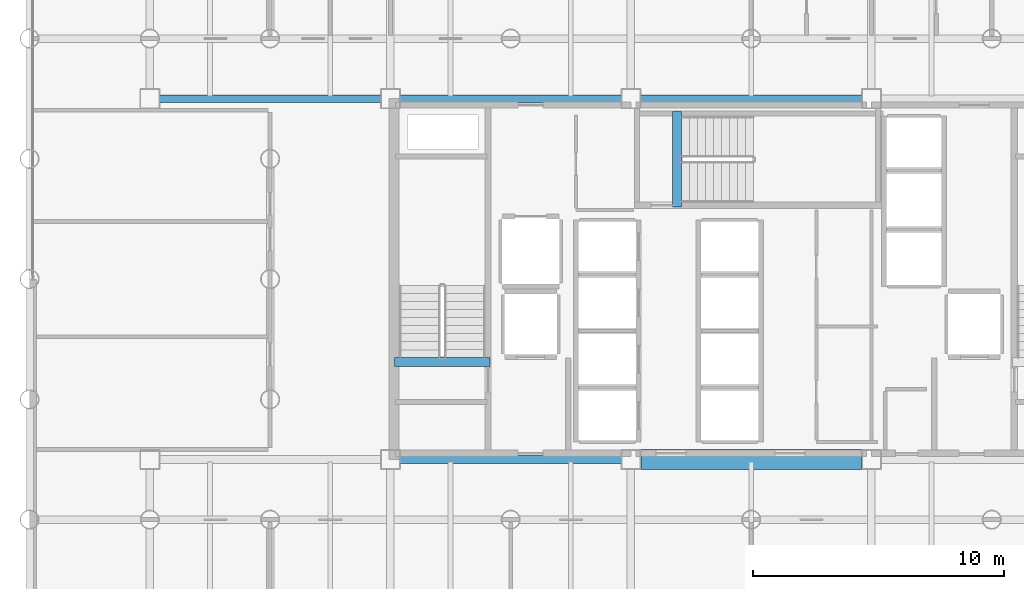
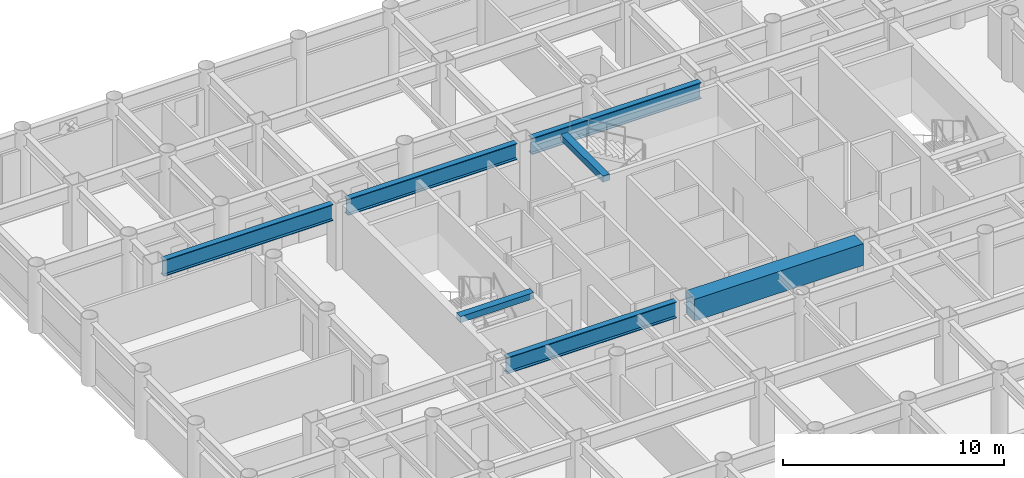
# One storey, part 5 of 19: 7 beams.
"""IFC4 building model written with IfcOpenShell, lengths in metres."""

from ifc_helpers import new_model, si_unit, direction, frame, origin, origin_2d, place, context, subcontext, project, spatial, rectangle, i_section, extrude, material, material_profile, profile_set, type_object, element, save


model = new_model("IFC4")

# Units and contexts
model_context = context("Model", 3, precision=1e-05, world=origin(), true_north=direction((0.0, 1.0)))
body_context = subcontext(model_context, "Body", "Model", "MODEL_VIEW")
ifc_project = project(units=[si_unit("LENGTHUNIT", "METRE"), si_unit("AREAUNIT", "SQUARE_METRE"), si_unit("VOLUMEUNIT", "CUBIC_METRE"), si_unit("PLANEANGLEUNIT", "RADIAN"), si_unit("MASSUNIT", "GRAM", prefix="KILO")], contexts=[model_context])

# Site, building, storey
site_placement = place(None, origin())
site = spatial("IfcSite", under=ifc_project, at=site_placement, CompositionType="ELEMENT")
building_placement = place(site_placement, origin())
building = spatial("IfcBuilding", under=site, at=building_placement, Name="Kallvorn Hotel Tower", CompositionType="ELEMENT")
storey_placement = place(building_placement, frame((0.0, 0.0, 67.0)))
storey = spatial("IfcBuildingStorey", under=building, at=storey_placement, Name="L15", CompositionType="ELEMENT", Elevation=67.0)

# Beams
ifc_material_1 = material(Name="Structural steel S355JR", Category="steel")
ifc_material_profile_1 = material_profile(ifc_material_1, i_section(OverallWidth=0.300048828125, OverallDepth=0.89990234375, WebThickness=0.0185546875, FlangeThickness=0.034912109375, at=origin_2d()), Name="HE 900 B")
ifc_profile_set_1 = profile_set([ifc_material_profile_1], Name="Structural steel S355JR")
beam_type_1 = type_object("IfcBeamType", Name="BM_HE900B", PredefinedType="BEAM", material=ifc_profile_set_1)
beam_1_placement = place(storey_placement, frame((-14.02490234375, -7.199951171875, 3.070068359375), z_axis=(1.0, 0.0, 0.0), x_axis=(0.0, 1.0, 0.0)))
element("IfcBeam", 1, at=beam_1_placement, inside=storey, type_object=beam_type_1, Name="L16 Primary X-Girder 34", PredefinedType="BEAM", context=body_context, shape_type="SweptSolid", body=[
    extrude(i_section(OverallWidth=0.300048828125, OverallDepth=0.89990234375, WebThickness=0.0185546875, FlangeThickness=0.034912109375, at=origin_2d()), origin(), (0.0, 0.0, 1.0), 8.849853515625),
])
beam_2_placement = place(storey_placement, frame((-23.625, 7.199951171875, 3.070068359375), z_axis=(1.0, 0.0, 0.0), x_axis=(0.0, 1.0, 0.0)))
element("IfcBeam", 2, at=beam_2_placement, inside=storey, type_object=beam_type_1, Name="L16 Primary X-Girder 37", PredefinedType="BEAM", context=body_context, shape_type="SweptSolid", body=[
    extrude(i_section(OverallWidth=0.300048828125, OverallDepth=0.89990234375, WebThickness=0.0185546875, FlangeThickness=0.034912109375, at=origin_2d()), origin(), (0.0, 0.0, 1.0), 8.85009765625),
])
beam_3_placement = place(storey_placement, frame((-14.02490234375, 7.199951171875, 3.070068359375), z_axis=(1.0, 0.0, 0.0), x_axis=(0.0, 1.0, 0.0)))
element("IfcBeam", 3, at=beam_3_placement, inside=storey, type_object=beam_type_1, Name="L16 Primary X-Girder 38", PredefinedType="BEAM", context=body_context, shape_type="SweptSolid", body=[
    extrude(i_section(OverallWidth=0.300048828125, OverallDepth=0.89990234375, WebThickness=0.0185546875, FlangeThickness=0.034912109375, at=origin_2d()), origin(), (0.0, 0.0, 1.0), 8.849853515625),
])
beam_4_placement = place(storey_placement, frame((-4.425048828125, 7.199951171875, 3.070068359375), z_axis=(1.0, 0.0, 0.0), x_axis=(0.0, 1.0, 0.0)))
element("IfcBeam", 4, at=beam_4_placement, inside=storey, type_object=beam_type_1, Name="L16 Primary X-Girder 39", PredefinedType="BEAM", context=body_context, shape_type="SweptSolid", body=[
    extrude(i_section(OverallWidth=0.300048828125, OverallDepth=0.89990234375, WebThickness=0.0185546875, FlangeThickness=0.034912109375, at=origin_2d()), origin(), (0.0, 0.0, 1.0), 8.85009765625),
])
ifc_material_2 = material(Name="Concrete C50/60", Category="concrete")
ifc_material_profile_2 = material_profile(ifc_material_2, rectangle(XDim=0.360107421875, YDim=0.340087890625, at=origin_2d()), Name="RC 360x340")
ifc_profile_set_2 = profile_set([ifc_material_profile_2], Name="Concrete C50/60")
beam_type_2 = type_object("IfcBeamType", Name="BM_RC_400x360", PredefinedType="BEAM", material=ifc_profile_set_2)
beam_5_placement = place(storey_placement, frame((-10.419921875, -3.31005859375, 3.35009765625), z_axis=(-1.0, 0.0, 0.0), x_axis=(0.0, -1.0, 0.0)))
element("IfcBeam", 5, at=beam_5_placement, inside=storey, type_object=beam_type_2, Name="L16 Stair ST1 Arrival Trimmer Beam", PredefinedType="BEAM", context=body_context, shape_type="SweptSolid", body=[
    extrude(rectangle(XDim=0.360107421875, YDim=0.340087890625, at=origin_2d()), origin(), (0.0, 0.0, 1.0), 3.820068359375),
])
beam_6_placement = place(storey_placement, frame((-2.9599609375, 2.8701171875, 3.35009765625), z_axis=(0.0, 1.0, 0.0), x_axis=(-1.0, 0.0, 0.0)))
element("IfcBeam", 6, at=beam_6_placement, inside=storey, type_object=beam_type_2, Name="L16 Stair ST3 Arrival Trimmer Beam", PredefinedType="BEAM", context=body_context, shape_type="SweptSolid", body=[
    extrude(rectangle(XDim=0.360107421875, YDim=0.340087890625, at=origin_2d()), origin(), (0.0, 0.0, 1.0), 3.81982421875),
])
ifc_material_3 = material(Name="Concrete C50/60", Category="concrete")
ifc_material_profile_3 = material_profile(ifc_material_3, rectangle(XDim=0.800048828125, YDim=1.199951171875, at=origin_2d()), Name="RC 800x1200")
ifc_profile_set_3 = profile_set([ifc_material_profile_3], Name="Concrete C50/60")
beam_type_3 = type_object("IfcBeamType", Name="BM_RC_800x1200", PredefinedType="T_BEAM", material=ifc_profile_set_3)
beam_7_placement = place(storey_placement, frame((-4.39990234375, -7.199951171875, 2.919921875), z_axis=(1.0, 0.0, 0.0), x_axis=(0.0, 1.0, 0.0)))
element("IfcBeam", 7, at=beam_7_placement, inside=storey, type_object=beam_type_3, Name="L15 Core Coupling Beam South", PredefinedType="T_BEAM", context=body_context, shape_type="SweptSolid", body=[
    extrude(rectangle(XDim=0.800048828125, YDim=1.199951171875, at=origin_2d()), origin(), (0.0, 0.0, 1.0), 8.7998046875),
])

save(model, "model.ifc")
